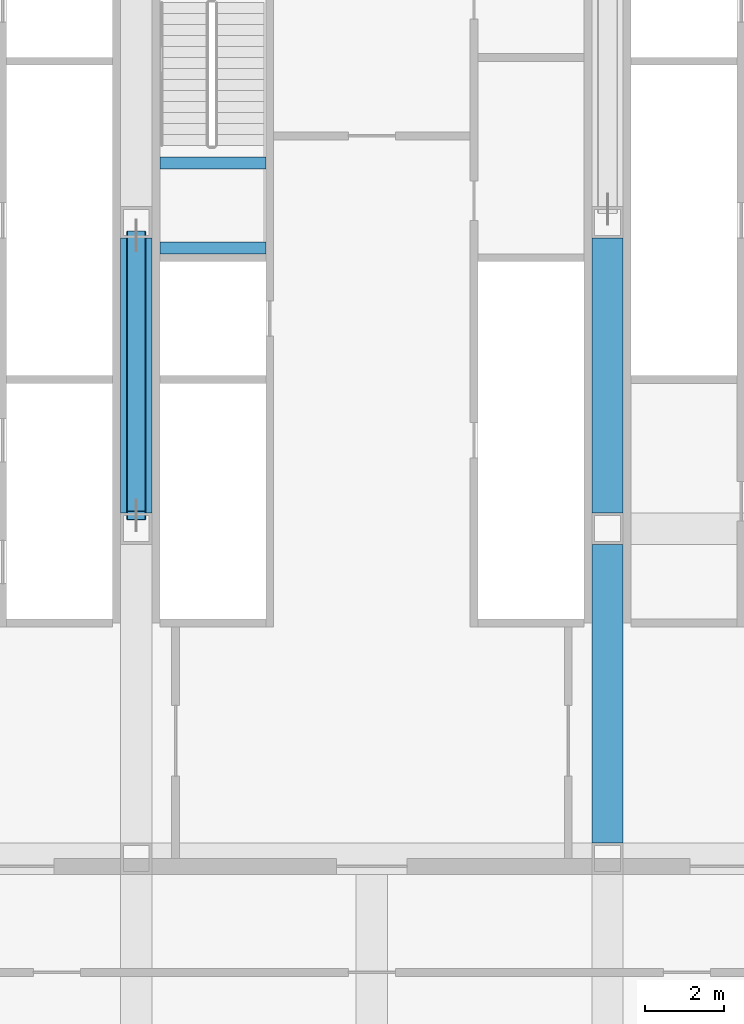
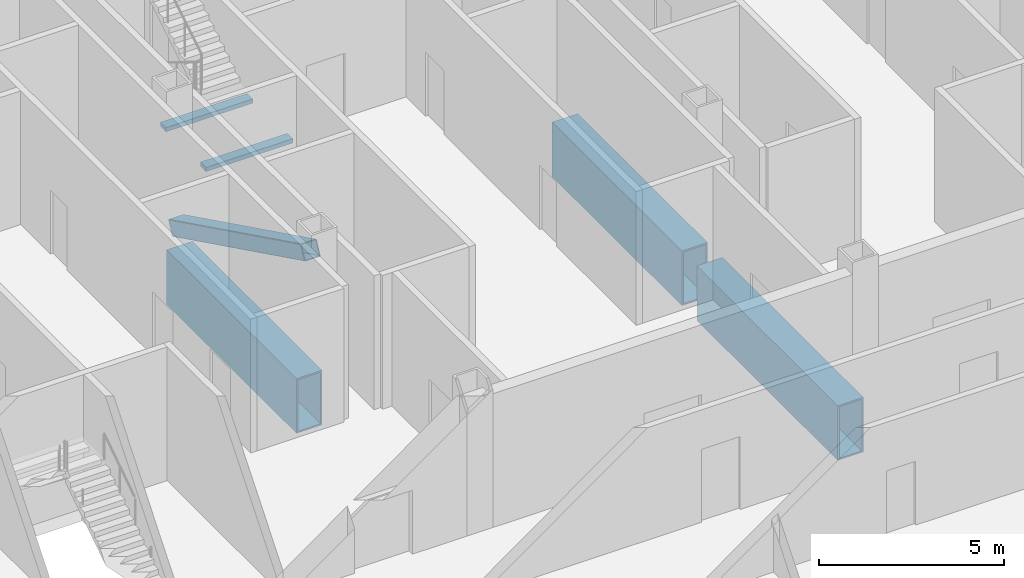
# One storey, part 11 of 34: 5 beams, 1 member.
"""IFC4 building model written with IfcOpenShell, lengths in metres."""

import ifcopenshell
import ifcopenshell.guid

model = None  # the IFC model being written
_history = None  # IfcOwnerHistory: only IFC2X3 demands one
_inside = {}  # id of a spatial element -> (the spatial element, [elements in it])
_under = {}  # id of a project, library or spatial element -> (it, [spatial elements below it])
_declared = {}  # id of a project -> (the project, [libraries it declares])
_typed = {}  # id of a type object -> (the type object, [elements of that type])
_made_of = {}  # id of a material, layer set ... -> (it, [elements and type objects made of it])


def new_model(schema):
    """Start an empty IFC model of exactly this schema.

    Asked for "IFC4X3", IfcOpenShell would pick the latest addendum, in which some entities
    have other attributes; the version numbers below select the first issue.
    IFC2X3 requires an IfcOwnerHistory on every rooted entity: one is made here for all.
    """
    global model, _history
    if schema == "IFC4X3":
        model = ifcopenshell.file(schema_version=(4, 3, 0, 0))
    else:
        model = ifcopenshell.file(schema=schema)
    _inside.clear()
    _under.clear()
    _declared.clear()
    _typed.clear()
    _made_of.clear()
    _history = None
    if model.schema == "IFC2X3":
        org = make("IfcOrganization", Name="unknown")
        user = make(
            "IfcPersonAndOrganization",
            ThePerson=make("IfcPerson", FamilyName="unknown"),
            TheOrganization=org,
        )
        app = make(
            "IfcApplication",
            ApplicationDeveloper=org,
            Version="unknown",
            ApplicationFullName="unknown",
            ApplicationIdentifier="unknown",
        )
        _history = make(
            "IfcOwnerHistory",
            OwningUser=user,
            OwningApplication=app,
            ChangeAction="ADDED",
            CreationDate=0,
        )
    return model


def make(cls, **values):
    """One entity of the class cls with the attributes given. An attribute that is None is left unset."""
    return model.create_entity(
        cls, **{name: value for name, value in values.items() if value is not None}
    )


def rooted(cls, **values):
    """An entity with a GlobalId (a new one), such as an element, a storey or a relation."""
    return make(cls, GlobalId=ifcopenshell.guid.new(), OwnerHistory=_history, **values)


def si_unit(unit_type, name, prefix=None):
    """IfcSIUnit, for example si_unit("LENGTHUNIT", "METRE", prefix="MILLI")."""
    return make("IfcSIUnit", UnitType=unit_type, Prefix=prefix, Name=name)


def assignment(units):
    """IfcUnitAssignment: the units of a project."""
    return None if units is None else make("IfcUnitAssignment", Units=units)


def point(xyz):
    """IfcCartesianPoint."""
    return None if xyz is None else make("IfcCartesianPoint", Coordinates=xyz)


def direction(xyz):
    """IfcDirection."""
    return None if xyz is None else make("IfcDirection", DirectionRatios=xyz)


def frame(location, z_axis=None, x_axis=None):
    """IfcAxis2Placement3D, a coordinate frame: its origin and axes. An axis left out is left unset."""
    return make(
        "IfcAxis2Placement3D",
        Location=point(location),
        Axis=direction(z_axis),
        RefDirection=direction(x_axis),
    )


def frame_2d(location, x_axis=None):
    """IfcAxis2Placement2D, a coordinate frame in the plane: its origin and x axis."""
    return make(
        "IfcAxis2Placement2D", Location=point(location), RefDirection=direction(x_axis)
    )


def origin():
    """The frame at (0, 0, 0) with its axes left unset."""
    return frame((0.0, 0.0, 0.0))


def origin_2d():
    """The frame at (0, 0) in the plane with its x axis left unset."""
    return frame_2d((0.0, 0.0))


def place(relative_to, where):
    """IfcLocalPlacement: puts the frame where relative to a parent placement (None: the world)."""
    return make(
        "IfcLocalPlacement", PlacementRelTo=relative_to, RelativePlacement=where
    )


def context(
    kind, dimensions, precision=None, world=None, true_north=None, identifier=None
):
    """IfcGeometricRepresentationContext, for example the 3D "Model" context."""
    return make(
        "IfcGeometricRepresentationContext",
        ContextIdentifier=identifier,
        ContextType=kind,
        CoordinateSpaceDimension=dimensions,
        Precision=precision,
        WorldCoordinateSystem=world,
        TrueNorth=true_north,
    )


def subcontext(parent, identifier, kind, view, scale=None):
    """IfcGeometricRepresentationSubContext, for example "Body" below "Model"."""
    return make(
        "IfcGeometricRepresentationSubContext",
        ContextIdentifier=identifier,
        ContextType=kind,
        ParentContext=parent,
        TargetScale=scale,
        TargetView=view,
    )


def project(units=None, contexts=None):
    """IfcProject with its units and contexts."""
    return rooted(
        "IfcProject",
        Name="project",
        RepresentationContexts=contexts,
        UnitsInContext=assignment(units),
    )


def spatial(cls, under=None, at=None, **own):
    """A site, building, storey or space (cls), placed at a placement, below another one or the project."""
    s = rooted(cls, ObjectPlacement=at, **own)
    if under is not None:
        _under.setdefault(under.id(), (under, []))[1].append(s)
    return s


def profile(cls, at=None, kind="AREA", **sizes):
    """A parametric profile (cls). Its sizes go by their IFC names, for example OverallWidth=200.0."""
    return make(cls, ProfileType=kind, Position=at, **sizes)


def rectangle(**sizes):
    """IfcRectangleProfileDef."""
    return profile("IfcRectangleProfileDef", **sizes)


def hollow_rectangle(**sizes):
    """IfcRectangleHollowProfileDef."""
    return profile("IfcRectangleHollowProfileDef", **sizes)


def extrude(swept, where, along, depth):
    """IfcExtrudedAreaSolid: the profile swept, set in the frame where, extruded along a direction by depth."""
    return make(
        "IfcExtrudedAreaSolid",
        SweptArea=swept,
        Position=where,
        ExtrudedDirection=direction(along),
        Depth=depth,
    )


def shape(context_of_items, identifier, shape_type, items):
    """IfcShapeRepresentation: the items that make up one representation, for example the "Body"."""
    return make(
        "IfcShapeRepresentation",
        ContextOfItems=context_of_items,
        RepresentationIdentifier=identifier,
        RepresentationType=shape_type,
        Items=items,
    )


def material(Name=None, Category=None):
    """IfcMaterial."""
    return make("IfcMaterial", Name=Name, Category=Category)


def material_profile(
    of_material, cross_section, Name=None, Category=None, Priority=None
):
    """IfcMaterialProfile: a cross section and its material."""
    return make(
        "IfcMaterialProfile",
        Name=Name,
        Material=of_material,
        Profile=cross_section,
        Priority=Priority,
        Category=Category,
    )


def profile_set(profiles, Name=None, composite=None):
    """IfcMaterialProfileSet."""
    return make(
        "IfcMaterialProfileSet",
        Name=Name,
        MaterialProfiles=profiles,
        CompositeProfile=composite,
    )


def made_of(thing, what):
    """Note that an element or type object is made of a material, layer set ...; save() writes the relation."""
    if what is not None:
        _made_of.setdefault(what.id(), (what, []))[1].append(thing)
    return thing


def type_object(cls, material=None, **own):
    """A type object (cls), such as IfcWallType, which elements share."""
    return made_of(rooted(cls, **own), material)


def element(
    cls,
    number,
    at=None,
    inside=None,
    cuts=None,
    type_object=None,
    material=None,
    context=None,
    identifier="Body",
    shape_type=None,
    held_by="IfcProductDefinitionShape",
    body=None,
    shapes=None,
    **own,
):
    """One element of the class cls, such as IfcWall. Its Tag is "e" and its number.

    at: its placement. inside: the storey or other place that contains it. cuts: it is an
    opening in that element (IfcRelVoidsElement). A single representation is given by context,
    identifier, shape_type and body (its items); several are given by shapes. held_by: the class
    of the entity that holds the representations. save() writes the other relations.
    """
    e = rooted(cls, Tag="e%d" % number, ObjectPlacement=at, **own)
    if body is not None:
        shapes = [shape(context, identifier, shape_type, body)]
    if shapes is not None:
        e.Representation = make(held_by, Representations=shapes)
    if inside is not None:
        _inside.setdefault(inside.id(), (inside, []))[1].append(e)
    if cuts is not None:
        rooted(
            "IfcRelVoidsElement", RelatingBuildingElement=cuts, RelatedOpeningElement=e
        )
    if type_object is not None:
        _typed.setdefault(type_object.id(), (type_object, []))[1].append(e)
    return made_of(e, material)


def aggregate(whole, parts):
    """IfcRelAggregates: a whole, such as a stair, and the parts it consists of."""
    return rooted("IfcRelAggregates", RelatingObject=whole, RelatedObjects=parts)


def save(model, path):
    """Write the relations noted so far, then the file.

    IfcRelAggregates (storeys below a building ...), IfcRelContainedInSpatialStructure (elements
    in a storey), IfcRelDefinesByType, IfcRelAssociatesMaterial and IfcRelDeclares: one each for
    every whole, place, type object, material and project.
    """
    for whole, parts in _under.values():
        aggregate(whole, parts)
    for where, things in _inside.values():
        rooted(
            "IfcRelContainedInSpatialStructure",
            RelatedElements=things,
            RelatingStructure=where,
        )
    for kind, things in _typed.values():
        rooted("IfcRelDefinesByType", RelatedObjects=things, RelatingType=kind)
    for what, things in _made_of.values():
        rooted("IfcRelAssociatesMaterial", RelatedObjects=things, RelatingMaterial=what)
    for by, libraries in _declared.values():
        rooted("IfcRelDeclares", RelatingContext=by, RelatedDefinitions=libraries)
    model.write(path)


model = new_model("IFC4")

# Units and contexts
model_context = context("Model", 3, precision=1e-05, world=origin(), true_north=direction((0.0, 1.0)))
body_context = subcontext(model_context, "Body", "Model", "MODEL_VIEW")
ifc_project = project(units=[si_unit("LENGTHUNIT", "METRE"), si_unit("AREAUNIT", "SQUARE_METRE"), si_unit("VOLUMEUNIT", "CUBIC_METRE"), si_unit("PLANEANGLEUNIT", "RADIAN"), si_unit("MASSUNIT", "GRAM", prefix="KILO")], contexts=[model_context])

# Site, building, storey
site_placement = place(None, origin())
site = spatial("IfcSite", under=ifc_project, at=site_placement, CompositionType="ELEMENT")
building_placement = place(site_placement, origin())
building = spatial("IfcBuilding", under=site, at=building_placement, Name="Sorahane Residences", CompositionType="ELEMENT")
storey_placement = place(building_placement, frame((0.0, 0.0, 20.39990234375)))
storey = spatial("IfcBuildingStorey", under=building, at=storey_placement, Name="L02", CompositionType="ELEMENT", Elevation=20.39990234375)

# Member
ifc_material_1 = material(Name="Steel Q355B", Category="steel")
ifc_material_profile_1 = material_profile(ifc_material_1, hollow_rectangle(XDim=0.5, YDim=0.5, WallThickness=0.02490234375, InnerFilletRadius=0.012451171875, OuterFilletRadius=0.03759765625, at=origin_2d()), Name="RHS 500x500x25")
ifc_profile_set_1 = profile_set([ifc_material_profile_1], Name="Steel Q355B")
member_type = type_object("IfcMemberType", Name="Core brace RHS 500x500x25 Q355B", PredefinedType="BRACE", material=ifc_profile_set_1)
member_placement = place(storey_placement, frame((18.0, 37.46630859375, 0.217529296875), z_axis=(0.0, -0.896985291701, 0.442060387811), x_axis=(1.0, 0.0, 0.0)))
element("IfcMember", 1, at=member_placement, inside=storey, type_object=member_type, Name="Core brace L02 x18-1", PredefinedType="BRACE", context=body_context, shape_type="SweptSolid", body=[
    extrude(hollow_rectangle(XDim=0.5, YDim=0.5, WallThickness=0.02490234375, InnerFilletRadius=0.012451171875, OuterFilletRadius=0.03759765625, at=origin_2d()), origin(), (0.0, 0.0, 1.0), 7.95166015625),
])

# Beams
ifc_material_2 = material(Name="Concrete C40", Category="concrete")
ifc_material_profile_2 = material_profile(ifc_material_2, rectangle(XDim=0.300048828125, YDim=0.139892578125, at=origin_2d()), Name="300x140")
ifc_profile_set_2 = profile_set([ifc_material_profile_2], Name="Concrete C40")
beam_type_1 = type_object("IfcBeamType", Name="RC landing beam 300 x 140 Concrete C40", PredefinedType="BEAM", material=ifc_profile_set_2)
for number, where, z_axis, x_axis, name in (
    (2, (18.60009765625, 37.14990234375, 2.130126953125), (1.0, 0.0, 0.0), (0.0, 1.0, 0.0), "Landing beam"),
    (3, (18.60009765625, 39.31005859375, 2.130126953125), (1.0, 0.0, 0.0), (0.0, 1.0, 0.0), "Landing beam"),
):
    element("IfcBeam", number, at=place(storey_placement, frame(where, z_axis=z_axis, x_axis=x_axis)), inside=storey, type_object=beam_type_1, Name=name, PredefinedType="BEAM", context=body_context, shape_type="SweptSolid", body=[
        extrude(rectangle(XDim=0.300048828125, YDim=0.139892578125, at=origin_2d()), origin(), (0.0, 0.0, 1.0), 2.699951171875),
    ])
ifc_material_3 = material(Name="Steel Q420GJ", Category="steel")
ifc_material_profile_3 = material_profile(ifc_material_3, hollow_rectangle(XDim=0.800048828125, YDim=1.800048828125, WallThickness=0.050048828125, at=origin_2d()), Name="BOX 1800x800x50")
ifc_profile_set_3 = profile_set([ifc_material_profile_3], Name="Steel Q420GJ")
beam_type_2 = type_object("IfcBeamType", Name="Steel transfer girder BOX 1800x800x50 Q420GJ", PredefinedType="BEAM", material=ifc_profile_set_3)
beam_1_placement = place(storey_placement, frame((18.0, 30.39990234375, -1.2998046875), z_axis=(0.0, 1.0, 0.0), x_axis=(-1.0, 0.0, 0.0)))
element("IfcBeam", 4, at=beam_1_placement, inside=storey, type_object=beam_type_2, Name="Beam L02 064", PredefinedType="BEAM", context=body_context, shape_type="SweptSolid", body=[
    extrude(hollow_rectangle(XDim=0.800048828125, YDim=1.800048828125, WallThickness=0.050048828125, at=origin_2d()), origin(), (0.0, 0.0, 1.0), 7.0),
])
beam_2_placement = place(storey_placement, frame((30.0, 22.0, -1.2998046875), z_axis=(0.0, 1.0, 0.0), x_axis=(-1.0, 0.0, 0.0)))
element("IfcBeam", 5, at=beam_2_placement, inside=storey, type_object=beam_type_2, Name="Beam L02 069", PredefinedType="BEAM", context=body_context, shape_type="SweptSolid", body=[
    extrude(hollow_rectangle(XDim=0.800048828125, YDim=1.800048828125, WallThickness=0.050048828125, at=origin_2d()), origin(), (0.0, 0.0, 1.0), 7.60009765625),
])
beam_3_placement = place(storey_placement, frame((30.0, 30.39990234375, -1.2998046875), z_axis=(0.0, 1.0, 0.0), x_axis=(-1.0, 0.0, 0.0)))
element("IfcBeam", 6, at=beam_3_placement, inside=storey, type_object=beam_type_2, Name="Beam L02 070", PredefinedType="BEAM", context=body_context, shape_type="SweptSolid", body=[
    extrude(hollow_rectangle(XDim=0.800048828125, YDim=1.800048828125, WallThickness=0.050048828125, at=origin_2d()), origin(), (0.0, 0.0, 1.0), 7.0),
])

save(model, "model.ifc")
